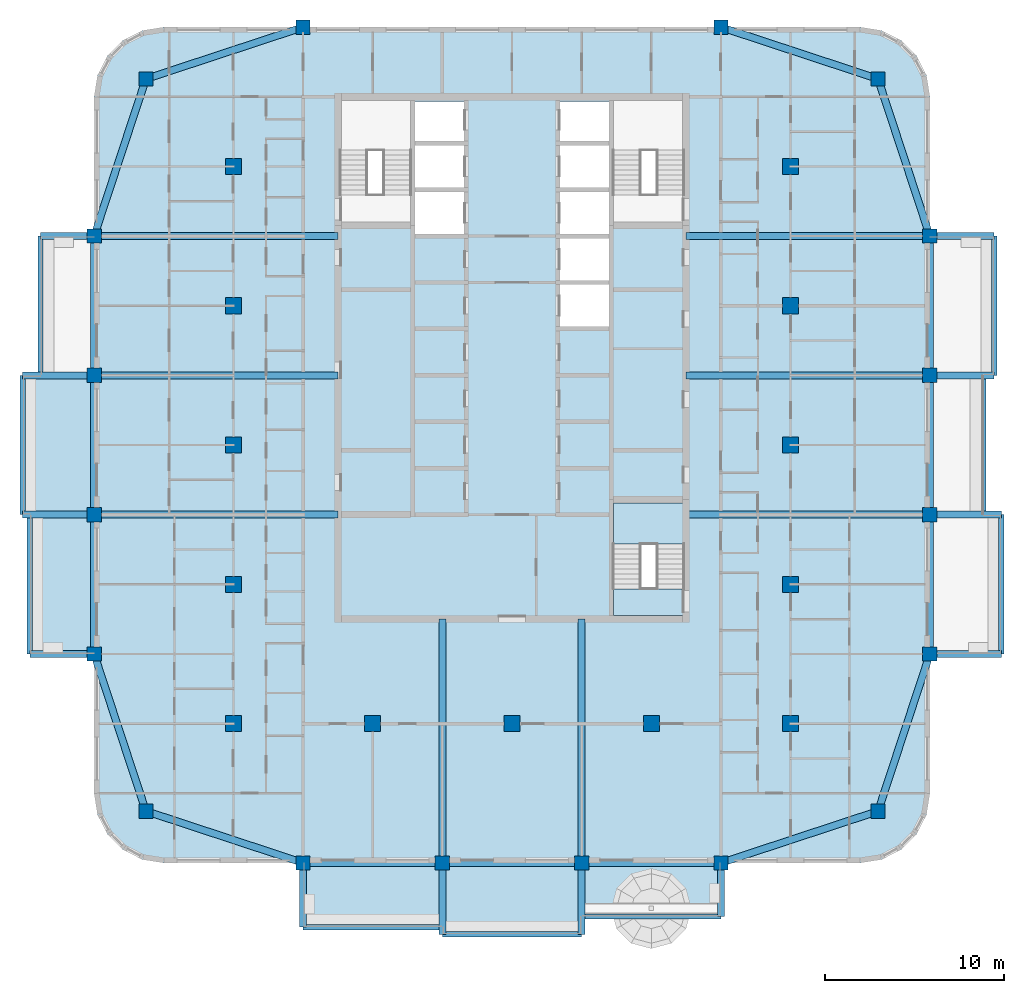
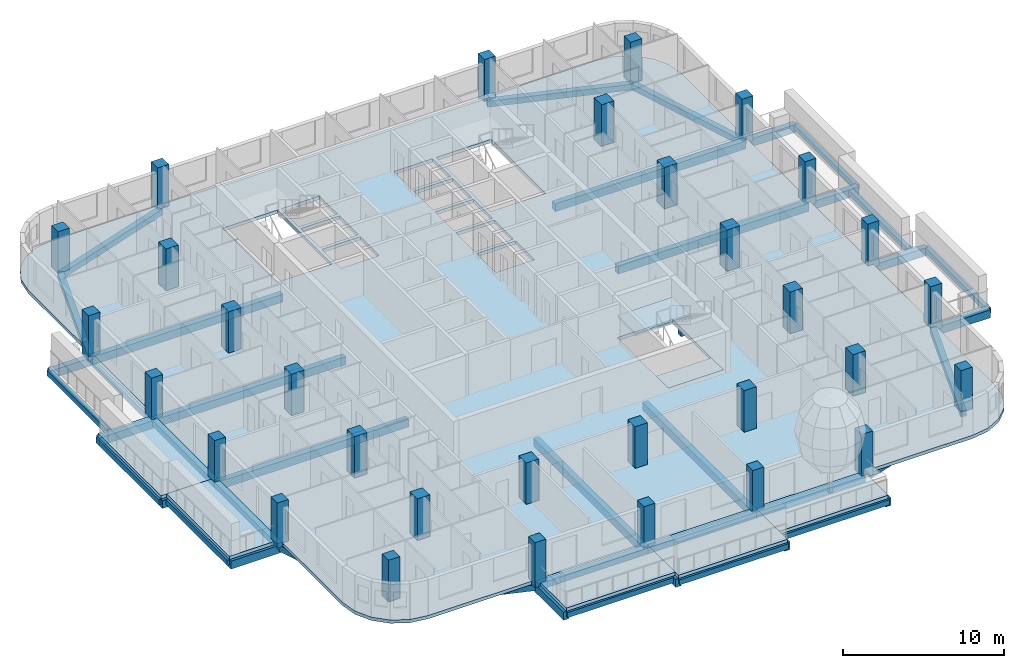
# One storey, part 1 of 17: 46 beams, 31 columns, 8 slabs, 1 element without a shape of its own.
"""IFC4 building model written with IfcOpenShell, lengths in metres."""

from ifc_helpers import new_model, si_unit, direction, frame, origin, origin_2d, place, context, subcontext, project, spatial, polyline, rectangle, outline, extrude, material, layer, layer_set, material_profile, profile_set, type_object, element, aggregate, save


model = new_model("IFC4")

# Units and contexts
model_context = context("Model", 3, precision=1e-05, world=origin(), true_north=direction((0.0, 1.0)))
body_context = subcontext(model_context, "Body", "Model", "MODEL_VIEW")
ifc_project = project(units=[si_unit("LENGTHUNIT", "METRE"), si_unit("AREAUNIT", "SQUARE_METRE"), si_unit("VOLUMEUNIT", "CUBIC_METRE"), si_unit("PLANEANGLEUNIT", "RADIAN"), si_unit("MASSUNIT", "GRAM", prefix="KILO")], contexts=[model_context])

# Site, building, storey
site_placement = place(None, origin())
site = spatial("IfcSite", under=ifc_project, at=site_placement, CompositionType="ELEMENT")
building_placement = place(site_placement, origin())
building = spatial("IfcBuilding", under=site, at=building_placement, Name="Ludao Terraces", CompositionType="ELEMENT")
storey_placement = place(building_placement, frame((0.0, 0.0, 210.89990234375)))
storey = spatial("IfcBuildingStorey", under=building, at=storey_placement, Name="L57", CompositionType="ELEMENT", Elevation=210.89990234375)

# Columns
ifc_material_1 = material(Name="Concrete C50", Category="concrete")
ifc_material_profile_1 = material_profile(ifc_material_1, rectangle(XDim=0.800048828125, YDim=0.800048828125, at=origin_2d()), Name="800 X 800")
ifc_profile_set_1 = profile_set([ifc_material_profile_1], Name="Concrete C50")
column_type_1 = type_object("IfcColumnType", Name="RC column 800x800 C50", PredefinedType="COLUMN", material=ifc_profile_set_1)
for number, where, z_axis, x_axis, name in (
    (1, (64.5, 44.5, -0.25), (0.0, 0.0, 1.0), (1.0, 0.0, 0.0), "Column L57 C0029x0029"),
    (2, (105.5, 44.5, -0.25), (0.0, 0.0, 1.0), (1.0, 0.0, 0.0), "Column L57 C0439x0029"),
    (3, (64.5, 85.5, -0.25), (0.0, 0.0, 1.0), (1.0, 0.0, 0.0), "Column L57 C0029x0439"),
    (4, (105.5, 85.5, -0.25), (0.0, 0.0, 1.0), (1.0, 0.0, 0.0), "Column L57 C0439x0439"),
    (5, (61.60009765625, 53.300048828125, -0.25), (0.0, 0.0, 1.0), (1.0, 0.0, 0.0), "Column L57 F0000x0117"),
    (6, (108.39990234375, 53.300048828125, -0.25), (0.0, 0.0, 1.0), (1.0, 0.0, 0.0), "Column L57 F0468x0117"),
    (7, (73.300048828125, 41.60009765625, -0.25), (0.0, 0.0, 1.0), (1.0, 0.0, 0.0), "Column L57 F0117x0000"),
    (8, (73.300048828125, 88.39990234375, -0.25), (0.0, 0.0, 1.0), (1.0, 0.0, 0.0), "Column L57 F0117x0468"),
    (9, (61.60009765625, 61.10009765625, -0.25), (0.0, 0.0, 1.0), (1.0, 0.0, 0.0), "Column L57 F0000x0195"),
    (10, (108.39990234375, 61.10009765625, -0.25), (0.0, 0.0, 1.0), (1.0, 0.0, 0.0), "Column L57 F0468x0195"),
    (11, (81.10009765625, 41.60009765625, -0.25), (0.0, 0.0, 1.0), (1.0, 0.0, 0.0), "Column L57 F0195x0000"),
    (12, (61.60009765625, 68.89990234375, -0.25), (0.0, 0.0, 1.0), (1.0, 0.0, 0.0), "Column L57 F0000x0273"),
    (13, (108.39990234375, 68.89990234375, -0.25), (0.0, 0.0, 1.0), (1.0, 0.0, 0.0), "Column L57 F0468x0273"),
    (14, (88.89990234375, 41.60009765625, -0.25), (0.0, 0.0, 1.0), (1.0, 0.0, 0.0), "Column L57 F0273x0000"),
    (15, (61.60009765625, 76.699951171875, -0.25), (0.0, 0.0, 1.0), (1.0, 0.0, 0.0), "Column L57 F0000x0351"),
    (16, (108.39990234375, 76.699951171875, -0.25), (0.0, 0.0, 1.0), (1.0, 0.0, 0.0), "Column L57 F0468x0351"),
    (17, (96.699951171875, 41.60009765625, -0.25), (0.0, 0.0, 1.0), (1.0, 0.0, 0.0), "Column L57 F0351x0000"),
    (18, (96.699951171875, 88.39990234375, -0.25), (0.0, 0.0, 1.0), (1.0, 0.0, 0.0), "Column L57 F0351x0468"),
):
    element("IfcColumn", number, at=place(storey_placement, frame(where, z_axis=z_axis, x_axis=x_axis)), inside=storey, type_object=column_type_1, Name=name, PredefinedType="COLUMN", context=body_context, shape_type="SweptSolid", body=[
        extrude(rectangle(XDim=0.800048828125, YDim=0.800048828125, at=origin_2d()), origin(), (0.0, 0.0, 1.0), 3.400146484375),
    ])
ifc_material_profile_2 = material_profile(ifc_material_1, rectangle(XDim=0.89990234375, YDim=0.89990234375, at=origin_2d()), Name="900 X 900")
ifc_profile_set_2 = profile_set([ifc_material_profile_2], Name="Concrete C50")
column_type_2 = type_object("IfcColumnType", Name="RC column 900x900 C50", PredefinedType="COLUMN", material=ifc_profile_set_2)
for number, where, z_axis, x_axis, name in (
    (19, (69.39990234375, 49.39990234375, -0.25), (0.0, 0.0, 1.0), (1.0, 0.0, 0.0), "Column L57 S0078x0078"),
    (20, (69.39990234375, 57.199951171875, -0.25), (0.0, 0.0, 1.0), (1.0, 0.0, 0.0), "Column L57 S0078x0156"),
    (21, (69.39990234375, 65.0, -0.25), (0.0, 0.0, 1.0), (1.0, 0.0, 0.0), "Column L57 S0078x0234"),
    (22, (69.39990234375, 72.800048828125, -0.25), (0.0, 0.0, 1.0), (1.0, 0.0, 0.0), "Column L57 S0078x0312"),
    (23, (69.39990234375, 80.60009765625, -0.25), (0.0, 0.0, 1.0), (1.0, 0.0, 0.0), "Column L57 S0078x0390"),
    (24, (77.199951171875, 49.39990234375, -0.25), (0.0, 0.0, 1.0), (1.0, 0.0, 0.0), "Column L57 S0156x0078"),
    (25, (85.0, 49.39990234375, -0.25), (0.0, 0.0, 1.0), (1.0, 0.0, 0.0), "Column L57 S0234x0078"),
    (26, (92.800048828125, 49.39990234375, -0.25), (0.0, 0.0, 1.0), (1.0, 0.0, 0.0), "Column L57 S0312x0078"),
    (27, (100.60009765625, 49.39990234375, -0.25), (0.0, 0.0, 1.0), (1.0, 0.0, 0.0), "Column L57 S0390x0078"),
    (28, (100.60009765625, 57.199951171875, -0.25), (0.0, 0.0, 1.0), (1.0, 0.0, 0.0), "Column L57 S0390x0156"),
    (29, (100.60009765625, 65.0, -0.25), (0.0, 0.0, 1.0), (1.0, 0.0, 0.0), "Column L57 S0390x0234"),
    (30, (100.60009765625, 72.800048828125, -0.25), (0.0, 0.0, 1.0), (1.0, 0.0, 0.0), "Column L57 S0390x0312"),
    (31, (100.60009765625, 80.60009765625, -0.25), (0.0, 0.0, 1.0), (1.0, 0.0, 0.0), "Column L57 S0390x0390"),
):
    element("IfcColumn", number, at=place(storey_placement, frame(where, z_axis=z_axis, x_axis=x_axis)), inside=storey, type_object=column_type_2, Name=name, PredefinedType="COLUMN", context=body_context, shape_type="SweptSolid", body=[
        extrude(rectangle(XDim=0.89990234375, YDim=0.89990234375, at=origin_2d()), origin(), (0.0, 0.0, 1.0), 3.400146484375),
    ])

# Beams
ifc_material_2 = material(Name="Concrete C40", Category="concrete")
ifc_material_profile_3 = material_profile(ifc_material_2, rectangle(XDim=0.300048828125, YDim=0.39990234375, at=origin_2d()), Name="300 X 400")
ifc_profile_set_3 = profile_set([ifc_material_profile_3], Name="Concrete C40")
beam_type_1 = type_object("IfcBeamType", Name="RC beam 300x400 C40", PredefinedType="BEAM", material=ifc_profile_set_3)
beam_1_placement = place(storey_placement, frame((73.300048828125, 38.0, -0.449951171875), z_axis=(1.0, 0.0, 0.0), x_axis=(0.0, 1.0, 0.0)))
element("IfcBeam", 32, at=beam_1_placement, inside=storey, type_object=beam_type_1, Name="Balcony edge beam L57 S1", PredefinedType="BEAM", context=body_context, shape_type="SweptSolid", body=[
    extrude(rectangle(XDim=0.300048828125, YDim=0.39990234375, at=origin_2d()), origin(), (0.0, 0.0, 1.0), 7.800048828125),
])
beam_2_placement = place(storey_placement, frame((81.10009765625, 37.60009765625, -0.449951171875), z_axis=(1.0, 0.0, 0.0), x_axis=(0.0, 1.0, 0.0)))
element("IfcBeam", 33, at=beam_2_placement, inside=storey, type_object=beam_type_1, Name="Balcony edge beam L57 S2", PredefinedType="BEAM", context=body_context, shape_type="SweptSolid", body=[
    extrude(rectangle(XDim=0.300048828125, YDim=0.39990234375, at=origin_2d()), origin(), (0.0, 0.0, 1.0), 7.7998046875),
])
for number, where, z_axis, x_axis, name in (
    (34, (88.89990234375, 38.60009765625, -0.449951171875), (1.0, 0.0, 0.0), (0.0, 1.0, 0.0), "Balcony edge beam L57 S3"),
    (35, (112.39990234375, 53.300048828125, -0.449951171875), (0.0, 1.0, 0.0), (-1.0, 0.0, 0.0), "Balcony edge beam L57 E1"),
):
    element("IfcBeam", number, at=place(storey_placement, frame(where, z_axis=z_axis, x_axis=x_axis)), inside=storey, type_object=beam_type_1, Name=name, PredefinedType="BEAM", context=body_context, shape_type="SweptSolid", body=[
        extrude(rectangle(XDim=0.300048828125, YDim=0.39990234375, at=origin_2d()), origin(), (0.0, 0.0, 1.0), 7.800048828125),
    ])
beam_3_placement = place(storey_placement, frame((111.39990234375, 61.10009765625, -0.449951171875), z_axis=(0.0, 1.0, 0.0), x_axis=(-1.0, 0.0, 0.0)))
element("IfcBeam", 36, at=beam_3_placement, inside=storey, type_object=beam_type_1, Name="Balcony edge beam L57 E2", PredefinedType="BEAM", context=body_context, shape_type="SweptSolid", body=[
    extrude(rectangle(XDim=0.300048828125, YDim=0.39990234375, at=origin_2d()), origin(), (0.0, 0.0, 1.0), 7.7998046875),
])
for number, where, z_axis, x_axis, name in (
    (37, (112.0, 68.89990234375, -0.449951171875), (0.0, 1.0, 0.0), (-1.0, 0.0, 0.0), "Balcony edge beam L57 E3"),
    (38, (58.0, 53.300048828125, -0.449951171875), (0.0, 1.0, 0.0), (-1.0, 0.0, 0.0), "Balcony edge beam L57 W1"),
):
    element("IfcBeam", number, at=place(storey_placement, frame(where, z_axis=z_axis, x_axis=x_axis)), inside=storey, type_object=beam_type_1, Name=name, PredefinedType="BEAM", context=body_context, shape_type="SweptSolid", body=[
        extrude(rectangle(XDim=0.300048828125, YDim=0.39990234375, at=origin_2d()), origin(), (0.0, 0.0, 1.0), 7.800048828125),
    ])
beam_4_placement = place(storey_placement, frame((57.60009765625, 61.10009765625, -0.449951171875), z_axis=(0.0, 1.0, 0.0), x_axis=(-1.0, 0.0, 0.0)))
element("IfcBeam", 39, at=beam_4_placement, inside=storey, type_object=beam_type_1, Name="Balcony edge beam L57 W2", PredefinedType="BEAM", context=body_context, shape_type="SweptSolid", body=[
    extrude(rectangle(XDim=0.300048828125, YDim=0.39990234375, at=origin_2d()), origin(), (0.0, 0.0, 1.0), 7.7998046875),
])
beam_5_placement = place(storey_placement, frame((58.60009765625, 68.89990234375, -0.449951171875), z_axis=(0.0, 1.0, 0.0), x_axis=(-1.0, 0.0, 0.0)))
element("IfcBeam", 40, at=beam_5_placement, inside=storey, type_object=beam_type_1, Name="Balcony edge beam L57 W3", PredefinedType="BEAM", context=body_context, shape_type="SweptSolid", body=[
    extrude(rectangle(XDim=0.300048828125, YDim=0.39990234375, at=origin_2d()), origin(), (0.0, 0.0, 1.0), 7.800048828125),
])
ifc_material_profile_4 = material_profile(ifc_material_2, rectangle(XDim=0.39990234375, YDim=0.449951171875, at=origin_2d()), Name="400 X 450")
ifc_profile_set_4 = profile_set([ifc_material_profile_4], Name="Concrete C40")
beam_type_2 = type_object("IfcBeamType", Name="RC beam 400x450 C40", PredefinedType="BEAM", material=ifc_profile_set_4)
beam_6_placement = place(storey_placement, frame((64.5, 44.5, -0.474853515625), z_axis=(0.949760691408, -0.312977042379, 0.0), x_axis=(0.312977042379, 0.949760691408, 0.0)))
element("IfcBeam", 41, at=beam_6_placement, inside=storey, type_object=beam_type_2, Name="Spandrel beam L57 S1", PredefinedType="BEAM", context=body_context, shape_type="SweptSolid", body=[
    extrude(rectangle(XDim=0.39990234375, YDim=0.449951171875, at=origin_2d()), origin(), (0.0, 0.0, 1.0), 9.265625),
])
beam_7_placement = place(storey_placement, frame((73.300048828125, 41.60009765625, -0.474853515625), z_axis=(1.0, 0.0, 0.0), x_axis=(0.0, 1.0, 0.0)))
element("IfcBeam", 42, at=beam_7_placement, inside=storey, type_object=beam_type_2, Name="Spandrel beam L57 S2", PredefinedType="BEAM", context=body_context, shape_type="SweptSolid", body=[
    extrude(rectangle(XDim=0.39990234375, YDim=0.449951171875, at=origin_2d()), origin(), (0.0, 0.0, 1.0), 7.800048828125),
])
beam_8_placement = place(storey_placement, frame((81.10009765625, 41.60009765625, -0.474853515625), z_axis=(1.0, 0.0, 0.0), x_axis=(0.0, 1.0, 0.0)))
element("IfcBeam", 43, at=beam_8_placement, inside=storey, type_object=beam_type_2, Name="Spandrel beam L57 S3", PredefinedType="BEAM", context=body_context, shape_type="SweptSolid", body=[
    extrude(rectangle(XDim=0.39990234375, YDim=0.449951171875, at=origin_2d()), origin(), (0.0, 0.0, 1.0), 7.7998046875),
])
beam_9_placement = place(storey_placement, frame((88.89990234375, 41.60009765625, -0.474853515625), z_axis=(1.0, 0.0, 0.0), x_axis=(0.0, 1.0, 0.0)))
element("IfcBeam", 44, at=beam_9_placement, inside=storey, type_object=beam_type_2, Name="Spandrel beam L57 S4", PredefinedType="BEAM", context=body_context, shape_type="SweptSolid", body=[
    extrude(rectangle(XDim=0.39990234375, YDim=0.449951171875, at=origin_2d()), origin(), (0.0, 0.0, 1.0), 7.800048828125),
])
for number, where, z_axis, x_axis, name in (
    (45, (96.699951171875, 41.60009765625, -0.474853515625), (0.949760691408, 0.312977042379, 0.0), (-0.312977042379, 0.949760691408, 0.0), "Spandrel beam L57 S5"),
    (46, (64.5, 85.5, -0.474853515625), (0.949760691408, 0.312977042379, 0.0), (-0.312977042379, 0.949760691408, 0.0), "Spandrel beam L57 N6"),
    (47, (96.699951171875, 88.39990234375, -0.474853515625), (0.949760691408, -0.312977042379, 0.0), (0.312977042379, 0.949760691408, 0.0), "Spandrel beam L57 N7"),
    (48, (64.5, 44.5, -0.474853515625), (-0.312977042379, 0.949760691408, 0.0), (-0.949760691408, -0.312977042379, 0.0), "Spandrel beam L57 W8"),
):
    element("IfcBeam", number, at=place(storey_placement, frame(where, z_axis=z_axis, x_axis=x_axis)), inside=storey, type_object=beam_type_2, Name=name, PredefinedType="BEAM", context=body_context, shape_type="SweptSolid", body=[
        extrude(rectangle(XDim=0.39990234375, YDim=0.449951171875, at=origin_2d()), origin(), (0.0, 0.0, 1.0), 9.265625),
    ])
beam_10_placement = place(storey_placement, frame((61.60009765625, 53.300048828125, -0.474853515625), z_axis=(0.0, 1.0, 0.0), x_axis=(-1.0, 0.0, 0.0)))
element("IfcBeam", 49, at=beam_10_placement, inside=storey, type_object=beam_type_2, Name="Spandrel beam L57 W9", PredefinedType="BEAM", context=body_context, shape_type="SweptSolid", body=[
    extrude(rectangle(XDim=0.39990234375, YDim=0.449951171875, at=origin_2d()), origin(), (0.0, 0.0, 1.0), 7.800048828125),
])
beam_11_placement = place(storey_placement, frame((61.60009765625, 61.10009765625, -0.474853515625), z_axis=(0.0, 1.0, 0.0), x_axis=(-1.0, 0.0, 0.0)))
element("IfcBeam", 50, at=beam_11_placement, inside=storey, type_object=beam_type_2, Name="Spandrel beam L57 W10", PredefinedType="BEAM", context=body_context, shape_type="SweptSolid", body=[
    extrude(rectangle(XDim=0.39990234375, YDim=0.449951171875, at=origin_2d()), origin(), (0.0, 0.0, 1.0), 7.7998046875),
])
beam_12_placement = place(storey_placement, frame((61.60009765625, 68.89990234375, -0.474853515625), z_axis=(0.0, 1.0, 0.0), x_axis=(-1.0, 0.0, 0.0)))
element("IfcBeam", 51, at=beam_12_placement, inside=storey, type_object=beam_type_2, Name="Spandrel beam L57 W11", PredefinedType="BEAM", context=body_context, shape_type="SweptSolid", body=[
    extrude(rectangle(XDim=0.39990234375, YDim=0.449951171875, at=origin_2d()), origin(), (0.0, 0.0, 1.0), 7.800048828125),
])
for number, where, z_axis, x_axis, name in (
    (52, (61.60009765625, 76.699951171875, -0.474853515625), (0.312977042379, 0.949760691408, 0.0), (-0.949760691408, 0.312977042379, 0.0), "Spandrel beam L57 W12"),
    (53, (105.5, 44.5, -0.474853515625), (0.312977042379, 0.949760691408, 0.0), (-0.949760691408, 0.312977042379, 0.0), "Spandrel beam L57 E13"),
):
    element("IfcBeam", number, at=place(storey_placement, frame(where, z_axis=z_axis, x_axis=x_axis)), inside=storey, type_object=beam_type_2, Name=name, PredefinedType="BEAM", context=body_context, shape_type="SweptSolid", body=[
        extrude(rectangle(XDim=0.39990234375, YDim=0.449951171875, at=origin_2d()), origin(), (0.0, 0.0, 1.0), 9.265625),
    ])
beam_13_placement = place(storey_placement, frame((108.39990234375, 53.300048828125, -0.474853515625), z_axis=(0.0, 1.0, 0.0), x_axis=(-1.0, 0.0, 0.0)))
element("IfcBeam", 54, at=beam_13_placement, inside=storey, type_object=beam_type_2, Name="Spandrel beam L57 E14", PredefinedType="BEAM", context=body_context, shape_type="SweptSolid", body=[
    extrude(rectangle(XDim=0.39990234375, YDim=0.449951171875, at=origin_2d()), origin(), (0.0, 0.0, 1.0), 7.800048828125),
])
beam_14_placement = place(storey_placement, frame((108.39990234375, 61.10009765625, -0.474853515625), z_axis=(0.0, 1.0, 0.0), x_axis=(-1.0, 0.0, 0.0)))
element("IfcBeam", 55, at=beam_14_placement, inside=storey, type_object=beam_type_2, Name="Spandrel beam L57 E15", PredefinedType="BEAM", context=body_context, shape_type="SweptSolid", body=[
    extrude(rectangle(XDim=0.39990234375, YDim=0.449951171875, at=origin_2d()), origin(), (0.0, 0.0, 1.0), 7.7998046875),
])
beam_15_placement = place(storey_placement, frame((108.39990234375, 68.89990234375, -0.474853515625), z_axis=(0.0, 1.0, 0.0), x_axis=(-1.0, 0.0, 0.0)))
element("IfcBeam", 56, at=beam_15_placement, inside=storey, type_object=beam_type_2, Name="Spandrel beam L57 E16", PredefinedType="BEAM", context=body_context, shape_type="SweptSolid", body=[
    extrude(rectangle(XDim=0.39990234375, YDim=0.449951171875, at=origin_2d()), origin(), (0.0, 0.0, 1.0), 7.800048828125),
])
beam_16_placement = place(storey_placement, frame((108.39990234375, 76.699951171875, -0.474853515625), z_axis=(-0.312977042379, 0.949760691408, 0.0), x_axis=(-0.949760691408, -0.312977042379, 0.0)))
element("IfcBeam", 57, at=beam_16_placement, inside=storey, type_object=beam_type_2, Name="Spandrel beam L57 E17", PredefinedType="BEAM", context=body_context, shape_type="SweptSolid", body=[
    extrude(rectangle(XDim=0.39990234375, YDim=0.449951171875, at=origin_2d()), origin(), (0.0, 0.0, 1.0), 9.265625),
])
ifc_material_profile_5 = material_profile(ifc_material_2, rectangle(XDim=0.39990234375, YDim=0.60009765625, at=origin_2d()), Name="400 X 600")
ifc_profile_set_5 = profile_set([ifc_material_profile_5], Name="Concrete C40")
beam_type_3 = type_object("IfcBeamType", Name="RC beam 400x600 C40", PredefinedType="BEAM", material=ifc_profile_set_5)
beam_17_placement = place(storey_placement, frame((108.39990234375, 53.300048828125, -0.5498046875), z_axis=(1.0, 0.0, 0.0), x_axis=(0.0, 1.0, 0.0)))
element("IfcBeam", 58, at=beam_17_placement, inside=storey, type_object=beam_type_3, Name="Balcony beam L57 E533", PredefinedType="BEAM", context=body_context, shape_type="SweptSolid", body=[
    extrude(rectangle(XDim=0.39990234375, YDim=0.60009765625, at=origin_2d()), origin(), (0.0, 0.0, 1.0), 4.0),
])
beam_18_placement = place(storey_placement, frame((94.75, 61.10009765625, -0.5498046875), z_axis=(1.0, 0.0, 0.0), x_axis=(0.0, 1.0, 0.0)))
element("IfcBeam", 59, at=beam_18_placement, inside=storey, type_object=beam_type_3, Name="Balcony beam L57 E611", PredefinedType="BEAM", context=body_context, shape_type="SweptSolid", body=[
    extrude(rectangle(XDim=0.39990234375, YDim=0.60009765625, at=origin_2d()), origin(), (0.0, 0.0, 1.0), 13.64990234375),
])
beam_19_placement = place(storey_placement, frame((108.39990234375, 61.10009765625, -0.5498046875), z_axis=(1.0, 0.0, 0.0), x_axis=(0.0, 1.0, 0.0)))
element("IfcBeam", 60, at=beam_19_placement, inside=storey, type_object=beam_type_3, Name="Balcony beam L57 E611", PredefinedType="BEAM", context=body_context, shape_type="SweptSolid", body=[
    extrude(rectangle(XDim=0.39990234375, YDim=0.60009765625, at=origin_2d()), origin(), (0.0, 0.0, 1.0), 4.0),
])
beam_20_placement = place(storey_placement, frame((94.75, 68.89990234375, -0.5498046875), z_axis=(1.0, 0.0, 0.0), x_axis=(0.0, 1.0, 0.0)))
element("IfcBeam", 61, at=beam_20_placement, inside=storey, type_object=beam_type_3, Name="Balcony beam L57 E689", PredefinedType="BEAM", context=body_context, shape_type="SweptSolid", body=[
    extrude(rectangle(XDim=0.39990234375, YDim=0.60009765625, at=origin_2d()), origin(), (0.0, 0.0, 1.0), 13.64990234375),
])
beam_21_placement = place(storey_placement, frame((108.39990234375, 68.89990234375, -0.5498046875), z_axis=(1.0, 0.0, 0.0), x_axis=(0.0, 1.0, 0.0)))
element("IfcBeam", 62, at=beam_21_placement, inside=storey, type_object=beam_type_3, Name="Balcony beam L57 E689", PredefinedType="BEAM", context=body_context, shape_type="SweptSolid", body=[
    extrude(rectangle(XDim=0.39990234375, YDim=0.60009765625, at=origin_2d()), origin(), (0.0, 0.0, 1.0), 3.60009765625),
])
beam_22_placement = place(storey_placement, frame((94.75, 76.699951171875, -0.5498046875), z_axis=(1.0, 0.0, 0.0), x_axis=(0.0, 1.0, 0.0)))
element("IfcBeam", 63, at=beam_22_placement, inside=storey, type_object=beam_type_3, Name="Balcony beam L57 E767", PredefinedType="BEAM", context=body_context, shape_type="SweptSolid", body=[
    extrude(rectangle(XDim=0.39990234375, YDim=0.60009765625, at=origin_2d()), origin(), (0.0, 0.0, 1.0), 13.64990234375),
])
for number, where, z_axis, x_axis, name in (
    (64, (108.39990234375, 76.699951171875, -0.5498046875), (1.0, 0.0, 0.0), (0.0, 1.0, 0.0), "Balcony beam L57 E767"),
    (65, (73.300048828125, 41.60009765625, -0.5498046875), (0.0, -1.0, 0.0), (1.0, 0.0, 0.0), "Balcony beam L57 S733"),
):
    element("IfcBeam", number, at=place(storey_placement, frame(where, z_axis=z_axis, x_axis=x_axis)), inside=storey, type_object=beam_type_3, Name=name, PredefinedType="BEAM", context=body_context, shape_type="SweptSolid", body=[
        extrude(rectangle(XDim=0.39990234375, YDim=0.60009765625, at=origin_2d()), origin(), (0.0, 0.0, 1.0), 3.60009765625),
    ])
beam_23_placement = place(storey_placement, frame((81.10009765625, 55.25, -0.5498046875), z_axis=(0.0, -1.0, 0.0), x_axis=(1.0, 0.0, 0.0)))
element("IfcBeam", 66, at=beam_23_placement, inside=storey, type_object=beam_type_3, Name="Balcony beam L57 S811", PredefinedType="BEAM", context=body_context, shape_type="SweptSolid", body=[
    extrude(rectangle(XDim=0.39990234375, YDim=0.60009765625, at=origin_2d()), origin(), (0.0, 0.0, 1.0), 13.64990234375),
])
beam_24_placement = place(storey_placement, frame((81.10009765625, 41.60009765625, -0.5498046875), z_axis=(0.0, -1.0, 0.0), x_axis=(1.0, 0.0, 0.0)))
element("IfcBeam", 67, at=beam_24_placement, inside=storey, type_object=beam_type_3, Name="Balcony beam L57 S811", PredefinedType="BEAM", context=body_context, shape_type="SweptSolid", body=[
    extrude(rectangle(XDim=0.39990234375, YDim=0.60009765625, at=origin_2d()), origin(), (0.0, 0.0, 1.0), 4.0),
])
beam_25_placement = place(storey_placement, frame((88.89990234375, 55.25, -0.5498046875), z_axis=(0.0, -1.0, 0.0), x_axis=(1.0, 0.0, 0.0)))
element("IfcBeam", 68, at=beam_25_placement, inside=storey, type_object=beam_type_3, Name="Balcony beam L57 S889", PredefinedType="BEAM", context=body_context, shape_type="SweptSolid", body=[
    extrude(rectangle(XDim=0.39990234375, YDim=0.60009765625, at=origin_2d()), origin(), (0.0, 0.0, 1.0), 13.64990234375),
])
beam_26_placement = place(storey_placement, frame((88.89990234375, 41.60009765625, -0.5498046875), z_axis=(0.0, -1.0, 0.0), x_axis=(1.0, 0.0, 0.0)))
element("IfcBeam", 69, at=beam_26_placement, inside=storey, type_object=beam_type_3, Name="Balcony beam L57 S889", PredefinedType="BEAM", context=body_context, shape_type="SweptSolid", body=[
    extrude(rectangle(XDim=0.39990234375, YDim=0.60009765625, at=origin_2d()), origin(), (0.0, 0.0, 1.0), 4.0),
])
beam_27_placement = place(storey_placement, frame((96.699951171875, 41.60009765625, -0.5498046875), z_axis=(0.0, -1.0, 0.0), x_axis=(1.0, 0.0, 0.0)))
element("IfcBeam", 70, at=beam_27_placement, inside=storey, type_object=beam_type_3, Name="Balcony beam L57 S967", PredefinedType="BEAM", context=body_context, shape_type="SweptSolid", body=[
    extrude(rectangle(XDim=0.39990234375, YDim=0.60009765625, at=origin_2d()), origin(), (0.0, 0.0, 1.0), 3.0),
])
beam_28_placement = place(storey_placement, frame((61.60009765625, 53.300048828125, -0.5498046875), z_axis=(-1.0, 0.0, 0.0), x_axis=(0.0, -1.0, 0.0)))
element("IfcBeam", 71, at=beam_28_placement, inside=storey, type_object=beam_type_3, Name="Balcony beam L57 W533", PredefinedType="BEAM", context=body_context, shape_type="SweptSolid", body=[
    extrude(rectangle(XDim=0.39990234375, YDim=0.60009765625, at=origin_2d()), origin(), (0.0, 0.0, 1.0), 3.60009765625),
])
beam_29_placement = place(storey_placement, frame((75.25, 61.10009765625, -0.5498046875), z_axis=(-1.0, 0.0, 0.0), x_axis=(0.0, -1.0, 0.0)))
element("IfcBeam", 72, at=beam_29_placement, inside=storey, type_object=beam_type_3, Name="Balcony beam L57 W611", PredefinedType="BEAM", context=body_context, shape_type="SweptSolid", body=[
    extrude(rectangle(XDim=0.39990234375, YDim=0.60009765625, at=origin_2d()), origin(), (0.0, 0.0, 1.0), 13.64990234375),
])
beam_30_placement = place(storey_placement, frame((61.60009765625, 61.10009765625, -0.5498046875), z_axis=(-1.0, 0.0, 0.0), x_axis=(0.0, -1.0, 0.0)))
element("IfcBeam", 73, at=beam_30_placement, inside=storey, type_object=beam_type_3, Name="Balcony beam L57 W611", PredefinedType="BEAM", context=body_context, shape_type="SweptSolid", body=[
    extrude(rectangle(XDim=0.39990234375, YDim=0.60009765625, at=origin_2d()), origin(), (0.0, 0.0, 1.0), 4.0),
])
beam_31_placement = place(storey_placement, frame((75.25, 68.89990234375, -0.5498046875), z_axis=(-1.0, 0.0, 0.0), x_axis=(0.0, -1.0, 0.0)))
element("IfcBeam", 74, at=beam_31_placement, inside=storey, type_object=beam_type_3, Name="Balcony beam L57 W689", PredefinedType="BEAM", context=body_context, shape_type="SweptSolid", body=[
    extrude(rectangle(XDim=0.39990234375, YDim=0.60009765625, at=origin_2d()), origin(), (0.0, 0.0, 1.0), 13.64990234375),
])
beam_32_placement = place(storey_placement, frame((61.60009765625, 68.89990234375, -0.5498046875), z_axis=(-1.0, 0.0, 0.0), x_axis=(0.0, -1.0, 0.0)))
element("IfcBeam", 75, at=beam_32_placement, inside=storey, type_object=beam_type_3, Name="Balcony beam L57 W689", PredefinedType="BEAM", context=body_context, shape_type="SweptSolid", body=[
    extrude(rectangle(XDim=0.39990234375, YDim=0.60009765625, at=origin_2d()), origin(), (0.0, 0.0, 1.0), 4.0),
])
beam_33_placement = place(storey_placement, frame((75.25, 76.699951171875, -0.5498046875), z_axis=(-1.0, 0.0, 0.0), x_axis=(0.0, -1.0, 0.0)))
element("IfcBeam", 76, at=beam_33_placement, inside=storey, type_object=beam_type_3, Name="Balcony beam L57 W767", PredefinedType="BEAM", context=body_context, shape_type="SweptSolid", body=[
    extrude(rectangle(XDim=0.39990234375, YDim=0.60009765625, at=origin_2d()), origin(), (0.0, 0.0, 1.0), 13.64990234375),
])
beam_34_placement = place(storey_placement, frame((61.60009765625, 76.699951171875, -0.5498046875), z_axis=(-1.0, 0.0, 0.0), x_axis=(0.0, -1.0, 0.0)))
element("IfcBeam", 77, at=beam_34_placement, inside=storey, type_object=beam_type_3, Name="Balcony beam L57 W767", PredefinedType="BEAM", context=body_context, shape_type="SweptSolid", body=[
    extrude(rectangle(XDim=0.39990234375, YDim=0.60009765625, at=origin_2d()), origin(), (0.0, 0.0, 1.0), 3.0),
])

# Slabs
ifc_layer_1 = layer(ifc_material_2, 0.25)
ifc_layer_set_1 = layer_set([ifc_layer_1], Name="Balcony slab 250 C40")
slab_type_1 = type_object("IfcSlabType", Name="Balcony slab 250 C40", PredefinedType="USERDEFINED", material=ifc_layer_set_1)
slab_1_placement = place(storey_placement, frame((0.0, 0.0, -0.25)))
element("IfcSlab", 78, at=slab_1_placement, inside=storey, type_object=slab_type_1, Name="Balcony L57 S1", ObjectType="BALCONY", PredefinedType="USERDEFINED", context=body_context, shape_type="SweptSolid", body=[
    extrude(outline(polyline([(73.300048828125, 38.0), (81.10009765625, 38.0), (81.10009765625, 41.60009765625), (73.300048828125, 41.60009765625), (73.300048828125, 38.0)])), origin(), (0.0, 0.0, 1.0), 0.25),
])
slab_2_placement = place(storey_placement, frame((0.0, 0.0, -0.25)))
element("IfcSlab", 79, at=slab_2_placement, inside=storey, type_object=slab_type_1, Name="Balcony L57 S2", ObjectType="BALCONY", PredefinedType="USERDEFINED", context=body_context, shape_type="SweptSolid", body=[
    extrude(outline(polyline([(81.10009765625, 37.60009765625), (88.89990234375, 37.60009765625), (88.89990234375, 41.60009765625), (81.10009765625, 41.60009765625), (81.10009765625, 37.60009765625)])), origin(), (0.0, 0.0, 1.0), 0.25),
])
slab_3_placement = place(storey_placement, frame((0.0, 0.0, -0.25)))
element("IfcSlab", 80, at=slab_3_placement, inside=storey, type_object=slab_type_1, Name="Balcony L57 S3", ObjectType="BALCONY", PredefinedType="USERDEFINED", context=body_context, shape_type="SweptSolid", body=[
    extrude(outline(polyline([(88.89990234375, 38.60009765625), (96.699951171875, 38.60009765625), (96.699951171875, 41.60009765625), (88.89990234375, 41.60009765625), (88.89990234375, 38.60009765625)])), origin(), (0.0, 0.0, 1.0), 0.25),
])
slab_4_placement = place(storey_placement, frame((0.0, 0.0, -0.25)))
element("IfcSlab", 81, at=slab_4_placement, inside=storey, type_object=slab_type_1, Name="Balcony L57 W1", ObjectType="BALCONY", PredefinedType="USERDEFINED", context=body_context, shape_type="SweptSolid", body=[
    extrude(outline(polyline([(58.0, 53.300048828125), (61.60009765625, 53.300048828125), (61.60009765625, 61.10009765625), (58.0, 61.10009765625), (58.0, 53.300048828125)])), origin(), (0.0, 0.0, 1.0), 0.25),
])
slab_5_placement = place(storey_placement, frame((0.0, 0.0, -0.25)))
element("IfcSlab", 82, at=slab_5_placement, inside=storey, type_object=slab_type_1, Name="Balcony L57 W2", ObjectType="BALCONY", PredefinedType="USERDEFINED", context=body_context, shape_type="SweptSolid", body=[
    extrude(outline(polyline([(57.60009765625, 61.10009765625), (61.60009765625, 61.10009765625), (61.60009765625, 68.89990234375), (57.60009765625, 68.89990234375), (57.60009765625, 61.10009765625)])), origin(), (0.0, 0.0, 1.0), 0.25),
])
ifc_layer_2 = layer(ifc_material_2, 0.25)
ifc_layer_set_2 = layer_set([ifc_layer_2], Name="Floor slab 250 C40")
slab_type_2 = type_object("IfcSlabType", Name="Floor slab 250 C40", PredefinedType="FLOOR", material=ifc_layer_set_2)
slab_6_placement = place(storey_placement, frame((0.0, 0.0, -0.25)))
element("IfcSlab", 83, at=slab_6_placement, inside=storey, type_object=slab_type_2, Name="Slab L57", PredefinedType="FLOOR", context=body_context, shape_type="SweptSolid", body=[
    extrude(outline(polyline([(104.5, 41.60009765625), (105.705078125, 41.790771484375), (106.79248046875, 42.3447265625), (107.6552734375, 43.20751953125), (108.209228515625, 44.294921875), (108.39990234375, 45.5), (108.39990234375, 84.5), (108.209228515625, 85.705078125), (107.6552734375, 86.79248046875), (106.79248046875, 87.6552734375), (105.705078125, 88.209228515625), (104.5, 88.39990234375), (65.5, 88.39990234375), (64.294921875, 88.209228515625), (63.20751953125, 87.6552734375), (62.3447265625, 86.79248046875), (61.790771484375, 85.705078125), (61.60009765625, 84.5), (61.60009765625, 45.5), (61.790771484375, 44.294921875), (62.3447265625, 43.20751953125), (63.20751953125, 42.3447265625), (64.294921875, 41.790771484375), (65.5, 41.60009765625), (104.5, 41.60009765625)]), holes=[polyline([(79.574951171875, 76.824951171875), (82.324951171875, 76.824951171875), (82.324951171875, 79.175048828125), (79.574951171875, 79.175048828125), (79.574951171875, 76.824951171875)]), polyline([(79.574951171875, 79.425048828125), (82.324951171875, 79.425048828125), (82.324951171875, 81.77490234375), (79.574951171875, 81.77490234375), (79.574951171875, 79.425048828125)]), polyline([(79.574951171875, 82.02490234375), (82.324951171875, 82.02490234375), (82.324951171875, 84.239990234375), (79.574951171875, 84.239990234375), (79.574951171875, 82.02490234375)]), polyline([(87.675048828125, 71.625), (90.425048828125, 71.625), (90.425048828125, 73.97509765625), (87.675048828125, 73.97509765625), (87.675048828125, 71.625)]), polyline([(87.675048828125, 74.22509765625), (90.425048828125, 74.22509765625), (90.425048828125, 76.574951171875), (87.675048828125, 76.574951171875), (87.675048828125, 74.22509765625)]), polyline([(87.675048828125, 76.824951171875), (90.425048828125, 76.824951171875), (90.425048828125, 79.175048828125), (87.675048828125, 79.175048828125), (87.675048828125, 76.824951171875)]), polyline([(87.675048828125, 79.425048828125), (90.425048828125, 79.425048828125), (90.425048828125, 81.77490234375), (87.675048828125, 81.77490234375), (87.675048828125, 79.425048828125)]), polyline([(87.675048828125, 82.02490234375), (90.425048828125, 82.02490234375), (90.425048828125, 84.239990234375), (87.675048828125, 84.239990234375), (87.675048828125, 82.02490234375)]), polyline([(75.375, 77.5), (79.324951171875, 77.5), (79.324951171875, 84.239990234375), (75.375, 84.239990234375), (75.375, 77.5)]), polyline([(90.675048828125, 77.5), (94.625, 77.5), (94.625, 84.239990234375), (90.675048828125, 84.239990234375), (90.675048828125, 77.5)]), polyline([(90.675048828125, 55.449951171875), (94.625, 55.449951171875), (94.625, 61.75), (90.675048828125, 61.75), (90.675048828125, 55.449951171875)])]), origin(), (0.0, 0.0, 1.0), 0.25),
])

# Stair, slabs
stair_type = type_object("IfcStairType", Name="INT Stair", PredefinedType="HALF_TURN_STAIR", material=ifc_material_2)
stair_placement = place(storey_placement, origin())
stair = element("IfcStair", 84, at=stair_placement, inside=storey, type_object=stair_type, Name="EXIT STAIR 3", PredefinedType="HALF_TURN_STAIR")
ifc_layer_3 = layer(ifc_material_2, 0.199951171875)
ifc_layer_set_3 = layer_set([ifc_layer_3], Name="INT Stair landing 200")
slab_type_3 = type_object("IfcSlabType", Name="INT Stair landing 200", PredefinedType="LANDING", material=ifc_layer_set_3)
slab_7_placement = place(storey_placement, frame((0.0, 0.0, 1.5)))
slab_7 = element("IfcSlab", 85, at=slab_7_placement, type_object=slab_type_3, Name="ST3 landing 1", PredefinedType="LANDING", context=body_context, shape_type="SweptSolid", body=[
    extrude(outline(polyline([(90.675048828125, 59.469970703125), (94.625, 59.469970703125), (94.625, 61.75), (90.675048828125, 61.75), (90.675048828125, 59.469970703125)])), origin(), (0.0, 0.0, 1.0), 0.2001953125),
])
slab_8_placement = place(storey_placement, frame((0.0, 0.0, -0.199951171875)))
slab_8 = element("IfcSlab", 86, at=slab_8_placement, type_object=slab_type_3, Name="ST3 landing 2", PredefinedType="LANDING", context=body_context, shape_type="SweptSolid", body=[
    extrude(outline(polyline([(90.675048828125, 55.449951171875), (94.625, 55.449951171875), (94.625, 56.949951171875), (90.675048828125, 56.949951171875), (90.675048828125, 55.449951171875)])), origin(), (0.0, 0.0, 1.0), 0.199951171875),
])
aggregate(stair, [slab_7, slab_8])

save(model, "model.ifc")
